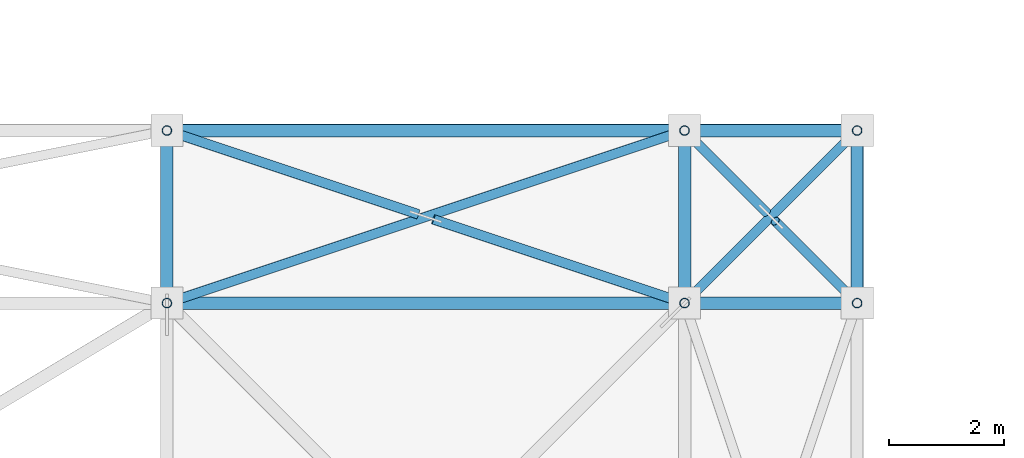
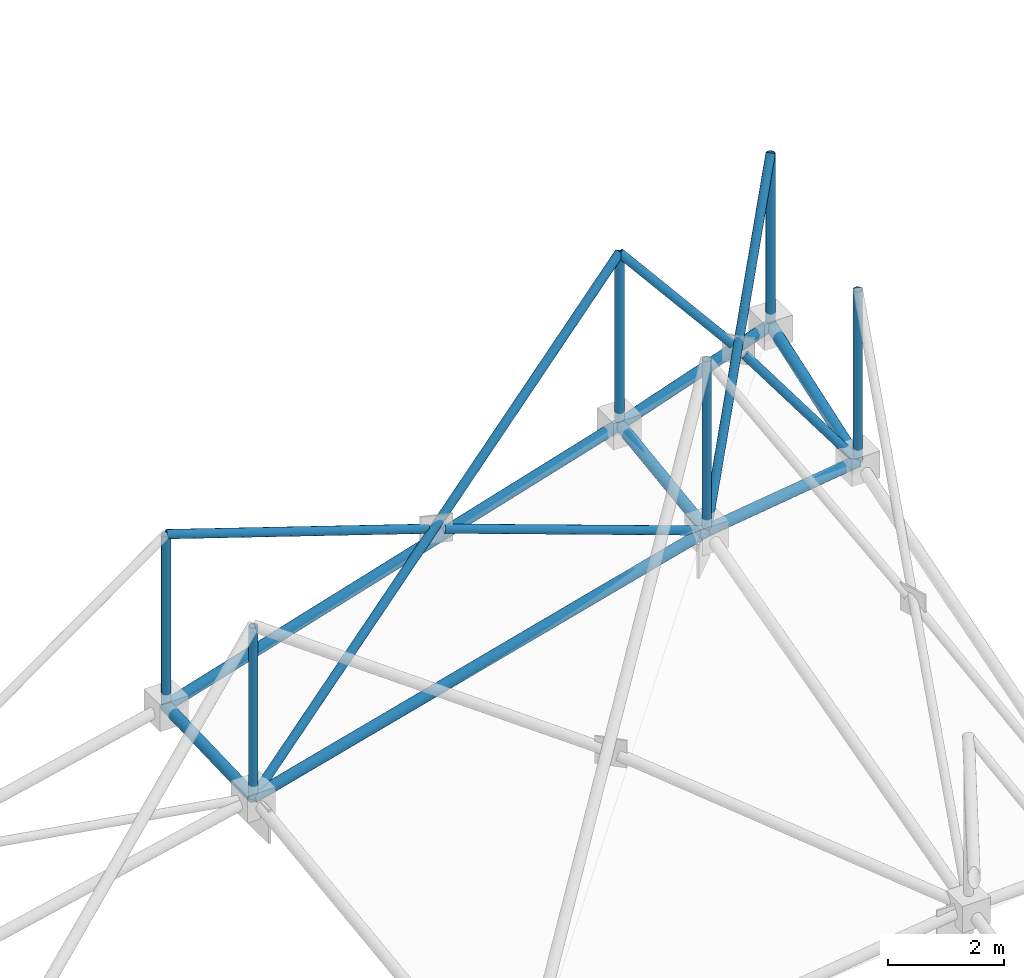
# One storey, part 155 of 224: 19 members.
"""IFC4 building model written with IfcOpenShell, lengths in metres."""

from ifc_helpers import new_model, si_unit, direction, frame, origin, origin_2d, place, context, subcontext, project, spatial, hollow_circle, extrude, material, material_profile, profile_set, type_object, element, save


model = new_model("IFC4")

# Units and contexts
model_context = context("Model", 3, precision=1e-05, world=origin(), true_north=direction((0.0, 1.0)))
body_context = subcontext(model_context, "Body", "Model", "MODEL_VIEW")
ifc_project = project(units=[si_unit("LENGTHUNIT", "METRE"), si_unit("AREAUNIT", "SQUARE_METRE"), si_unit("VOLUMEUNIT", "CUBIC_METRE"), si_unit("PLANEANGLEUNIT", "RADIAN"), si_unit("MASSUNIT", "GRAM", prefix="KILO")], contexts=[model_context])

# Site, building, storey
site_placement = place(None, origin())
site = spatial("IfcSite", under=ifc_project, at=site_placement, CompositionType="ELEMENT")
building_placement = place(site_placement, origin())
building = spatial("IfcBuilding", under=site, at=building_placement, Name="Qamarlyn Nura Convention Centre", CompositionType="ELEMENT")
storey_placement = place(building_placement, frame((0.0, 0.0, 10.800048828125)))
storey = spatial("IfcBuildingStorey", under=building, at=storey_placement, Name="L02", CompositionType="ELEMENT", Elevation=10.800048828125)

# Members
ifc_material = material(Name="Pearl-white PVDF steel ASTM A500 Grade C", Category="steel")
ifc_material_profile_1 = material_profile(ifc_material, hollow_circle(Radius=0.109619140625, WallThickness=0.010009765625, at=origin_2d()), Name="CHS219.1X10")
ifc_profile_set_1 = profile_set([ifc_material_profile_1], Name="Pearl-white PVDF steel ASTM A500 Grade C")
member_type_1 = type_object("IfcMemberType", Name="SF-BC-EAVE", PredefinedType="CHORD", material=ifc_profile_set_1)
member_1_placement = place(storey_placement, frame((120.0, 112.0, 6.505615234375), z_axis=(0.965021310393, 0.0, 0.262171452463), x_axis=(0.0, 1.0, 0.0)))
element("IfcMember", 1, at=member_1_placement, inside=storey, type_object=member_type_1, Name="ROOF TRUSS space frame bottom chord X10-8", PredefinedType="CHORD", context=body_context, shape_type="SweptSolid", body=[
    extrude(hollow_circle(Radius=0.109619140625, WallThickness=0.010009765625, at=origin_2d()), origin(), (0.0, 0.0, 1.0), 9.326171875),
])
member_2_placement = place(storey_placement, frame((129.0, 112.0, 8.95068359375), z_axis=(0.990685366619, 0.0, 0.136170864601), x_axis=(0.0, 1.0, 0.0)))
element("IfcMember", 2, at=member_2_placement, inside=storey, type_object=member_type_1, Name="ROOF TRUSS space frame bottom chord X11-8", PredefinedType="CHORD", context=body_context, shape_type="SweptSolid", body=[
    extrude(hollow_circle(Radius=0.109619140625, WallThickness=0.010009765625, at=origin_2d()), origin(), (0.0, 0.0, 1.0), 3.0283203125),
])
member_3_placement = place(storey_placement, frame((120.0, 115.0, 6.607421875), z_axis=(0.956184693556, 0.0, 0.29276412316), x_axis=(0.0, 1.0, 0.0)))
element("IfcMember", 3, at=member_3_placement, inside=storey, type_object=member_type_1, Name="ROOF TRUSS space frame bottom chord X10-9", PredefinedType="CHORD", context=body_context, shape_type="SweptSolid", body=[
    extrude(hollow_circle(Radius=0.109619140625, WallThickness=0.010009765625, at=origin_2d()), origin(), (0.0, 0.0, 1.0), 9.412353515625),
])
member_4_placement = place(storey_placement, frame((129.0, 115.0, 9.363037109375), z_axis=(0.945141424034, 0.0, 0.326661428049), x_axis=(0.0, 1.0, 0.0)))
element("IfcMember", 4, at=member_4_placement, inside=storey, type_object=member_type_1, Name="ROOF TRUSS space frame bottom chord X11-9", PredefinedType="CHORD", context=body_context, shape_type="SweptSolid", body=[
    extrude(hollow_circle(Radius=0.109619140625, WallThickness=0.010009765625, at=origin_2d()), origin(), (0.0, 0.0, 1.0), 3.174072265625),
])
member_5_placement = place(storey_placement, frame((120.0, 112.0, 6.505615234375), z_axis=(0.0, 0.999424686189, 0.033916023286), x_axis=(-1.0, 0.0, 0.0)))
element("IfcMember", 5, at=member_5_placement, inside=storey, type_object=member_type_1, Name="ROOF TRUSS space frame bottom chord Y10-8", PredefinedType="CHORD", context=body_context, shape_type="SweptSolid", body=[
    extrude(hollow_circle(Radius=0.109619140625, WallThickness=0.010009765625, at=origin_2d()), origin(), (0.0, 0.0, 1.0), 3.001708984375),
])
member_6_placement = place(storey_placement, frame((129.0, 112.0, 8.95068359375), z_axis=(0.0, 0.990685366619, 0.136170864601), x_axis=(-1.0, 0.0, 0.0)))
element("IfcMember", 6, at=member_6_placement, inside=storey, type_object=member_type_1, Name="ROOF TRUSS space frame bottom chord Y11-8", PredefinedType="CHORD", context=body_context, shape_type="SweptSolid", body=[
    extrude(hollow_circle(Radius=0.109619140625, WallThickness=0.010009765625, at=origin_2d()), origin(), (0.0, 0.0, 1.0), 3.0283203125),
])
member_7_placement = place(storey_placement, frame((132.0, 112.0, 9.363037109375), z_axis=(0.0, 0.945141424034, 0.326661428049), x_axis=(-1.0, 0.0, 0.0)))
element("IfcMember", 7, at=member_7_placement, inside=storey, type_object=member_type_1, Name="ROOF TRUSS space frame bottom chord Y12-8", PredefinedType="CHORD", context=body_context, shape_type="SweptSolid", body=[
    extrude(hollow_circle(Radius=0.109619140625, WallThickness=0.010009765625, at=origin_2d()), origin(), (0.0, 0.0, 1.0), 3.174072265625),
])
ifc_material_profile_2 = material_profile(ifc_material, hollow_circle(Radius=0.084228515625, WallThickness=0.008056640625, at=origin_2d()), Name="CHS168.3X8")
ifc_profile_set_2 = profile_set([ifc_material_profile_2], Name="Pearl-white PVDF steel ASTM A500 Grade C")
member_type_2 = type_object("IfcMemberType", Name="SF-WEB-STD", PredefinedType="BRACE", material=ifc_profile_set_2)
member_8_placement = place(storey_placement, frame((120.0, 112.0, 6.505615234375), z_axis=(0.0, 0.0, 1.0), x_axis=(1.0, 0.0, 0.0)))
element("IfcMember", 8, at=member_8_placement, inside=storey, type_object=member_type_2, Name="ROOF TRUSS space frame vertical 10-8", PredefinedType="BRACE", context=body_context, shape_type="SweptSolid", body=[
    extrude(hollow_circle(Radius=0.084228515625, WallThickness=0.008056640625, at=origin_2d()), origin(), (0.0, 0.0, 1.0), 3.60009765625),
])
member_9_placement = place(storey_placement, frame((120.0, 112.0, 6.505615234375), z_axis=(0.784251844336, 0.261417281445, 0.562681126054), x_axis=(-0.316227766017, 0.948683298051, 0.0)))
element("IfcMember", 9, at=member_9_placement, inside=storey, type_object=member_type_2, Name="ROOF TRUSS space frame diagonal A 10-8", PredefinedType="BRACE", context=body_context, shape_type="SweptSolid", body=[
    extrude(hollow_circle(Radius=0.084228515625, WallThickness=0.008056640625, at=origin_2d()), origin(), (0.0, 0.0, 1.0), 11.475830078125),
])
member_10_placement = place(storey_placement, frame((129.0, 112.0, 8.95068359375), z_axis=(-0.938288147004, 0.312745236055, 0.147667770746), x_axis=(-0.316211859943, -0.948688599927, 0.0)))
element("IfcMember", 10, at=member_10_placement, inside=storey, type_object=member_type_2, Name="ROOF TRUSS space frame split diagonal B1 10-8", PredefinedType="BRACE", context=body_context, shape_type="SweptSolid", body=[
    extrude(hollow_circle(Radius=0.084228515625, WallThickness=0.008056640625, at=origin_2d()), origin(), (0.0, 0.0, 1.0), 4.65576171875),
])
member_11_placement = place(storey_placement, frame((124.368408203125, 113.5439453125, 9.675048828125), z_axis=(-0.942414338249, 0.314120556269, 0.114819385088), x_axis=(-0.316211859943, -0.948688599927, 0.0)))
element("IfcMember", 11, at=member_11_placement, inside=storey, type_object=member_type_2, Name="ROOF TRUSS space frame split diagonal B2 10-8", PredefinedType="BRACE", context=body_context, shape_type="SweptSolid", body=[
    extrude(hollow_circle(Radius=0.084228515625, WallThickness=0.008056640625, at=origin_2d()), origin(), (0.0, 0.0, 1.0), 4.63525390625),
])
member_12_placement = place(storey_placement, frame((120.0, 115.0, 6.607421875), z_axis=(0.0, 0.0, 1.0), x_axis=(1.0, 0.0, 0.0)))
element("IfcMember", 12, at=member_12_placement, inside=storey, type_object=member_type_2, Name="ROOF TRUSS space frame vertical 10-9", PredefinedType="BRACE", context=body_context, shape_type="SweptSolid", body=[
    extrude(hollow_circle(Radius=0.084228515625, WallThickness=0.008056640625, at=origin_2d()), origin(), (0.0, 0.0, 1.0), 3.599853515625),
])
member_13_placement = place(storey_placement, frame((129.0, 112.0, 8.95068359375), z_axis=(0.0, 0.0, 1.0), x_axis=(1.0, 0.0, 0.0)))
element("IfcMember", 13, at=member_13_placement, inside=storey, type_object=member_type_2, Name="ROOF TRUSS space frame vertical 11-8", PredefinedType="BRACE", context=body_context, shape_type="SweptSolid", body=[
    extrude(hollow_circle(Radius=0.084228515625, WallThickness=0.008056640625, at=origin_2d()), origin(), (0.0, 0.0, 1.0), 3.60009765625),
])
member_14_placement = place(storey_placement, frame((129.0, 112.0, 8.95068359375), z_axis=(0.454881852272, 0.454881852272, 0.765614133194), x_axis=(-0.707106781187, 0.707106781187, 0.0)))
element("IfcMember", 14, at=member_14_placement, inside=storey, type_object=member_type_2, Name="ROOF TRUSS space frame diagonal A 11-8", PredefinedType="BRACE", context=body_context, shape_type="SweptSolid", body=[
    extrude(hollow_circle(Radius=0.084228515625, WallThickness=0.008056640625, at=origin_2d()), origin(), (0.0, 0.0, 1.0), 6.59521484375),
])
member_15_placement = place(storey_placement, frame((132.0, 112.0, 9.363037109375), z_axis=(-0.518837168434, 0.518837168434, 0.679423274037), x_axis=(-0.707106781187, -0.707106781187, 0.0)))
element("IfcMember", 15, at=member_15_placement, inside=storey, type_object=member_type_2, Name="ROOF TRUSS space frame split diagonal B1 11-8", PredefinedType="BRACE", context=body_context, shape_type="SweptSolid", body=[
    extrude(hollow_circle(Radius=0.084228515625, WallThickness=0.008056640625, at=origin_2d()), origin(), (0.0, 0.0, 1.0), 2.74560546875),
])
member_16_placement = place(storey_placement, frame((130.424560546875, 113.575439453125, 11.40966796875), z_axis=(-0.559998615776, 0.559998615776, 0.610576040029), x_axis=(-0.707106781187, -0.707106781187, 0.0)))
element("IfcMember", 16, at=member_16_placement, inside=storey, type_object=member_type_2, Name="ROOF TRUSS space frame split diagonal B2 11-8", PredefinedType="BRACE", context=body_context, shape_type="SweptSolid", body=[
    extrude(hollow_circle(Radius=0.084228515625, WallThickness=0.008056640625, at=origin_2d()), origin(), (0.0, 0.0, 1.0), 2.5439453125),
])
for number, where, z_axis, x_axis, name in (
    (17, (129.0, 115.0, 9.363037109375), (0.0, 0.0, 1.0), (1.0, 0.0, 0.0), "ROOF TRUSS space frame vertical 11-9"),
    (18, (132.0, 112.0, 9.363037109375), (0.0, 0.0, 1.0), (1.0, 0.0, 0.0), "ROOF TRUSS space frame vertical 12-8"),
):
    element("IfcMember", number, at=place(storey_placement, frame(where, z_axis=z_axis, x_axis=x_axis)), inside=storey, type_object=member_type_2, Name=name, PredefinedType="BRACE", context=body_context, shape_type="SweptSolid", body=[
        extrude(hollow_circle(Radius=0.084228515625, WallThickness=0.008056640625, at=origin_2d()), origin(), (0.0, 0.0, 1.0), 3.599853515625),
    ])
member_17_placement = place(storey_placement, frame((132.0, 115.0, 10.39990234375), z_axis=(0.0, 0.0, 1.0), x_axis=(1.0, 0.0, 0.0)))
element("IfcMember", 19, at=member_17_placement, inside=storey, type_object=member_type_2, Name="ROOF TRUSS space frame vertical 12-9", PredefinedType="BRACE", context=body_context, shape_type="SweptSolid", body=[
    extrude(hollow_circle(Radius=0.084228515625, WallThickness=0.008056640625, at=origin_2d()), origin(), (0.0, 0.0, 1.0), 3.60009765625),
])

save(model, "model.ifc")
